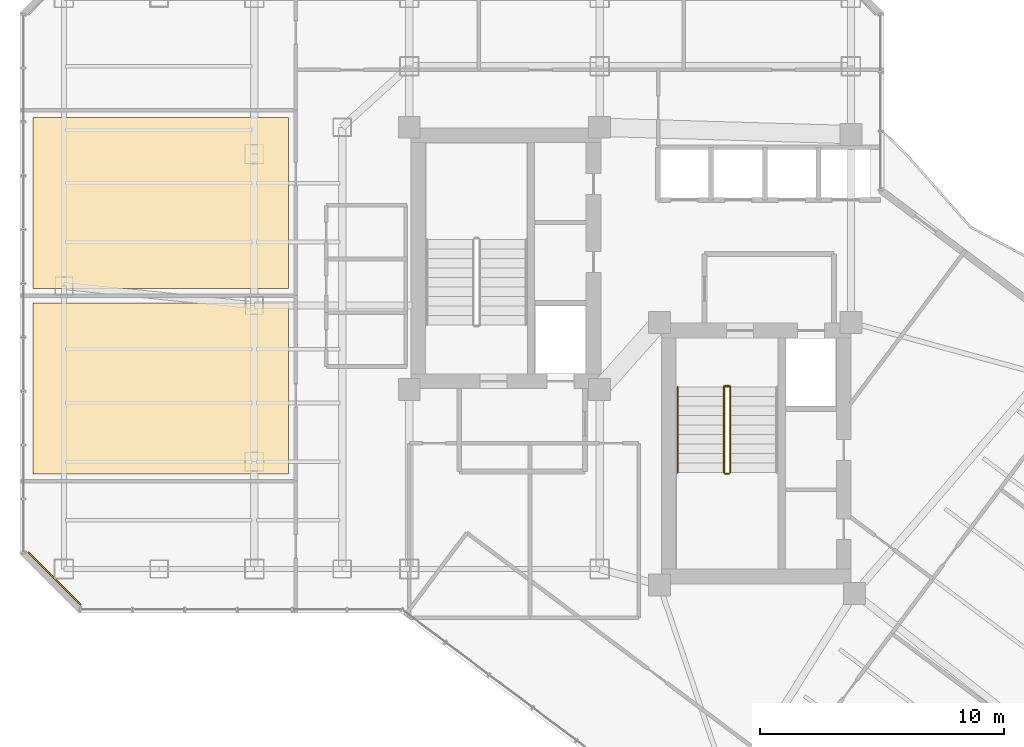
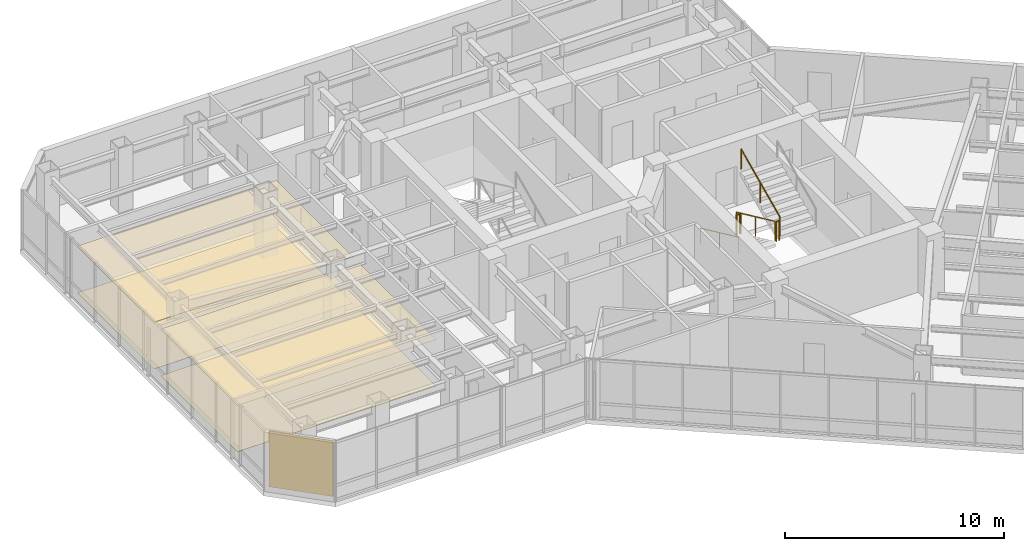
# One storey, part 27 of 29: 6 railings, 5 coverings.
"""IFC4 building model written with IfcOpenShell, lengths in metres."""

from ifc_helpers import new_model, si_unit, direction, frame, origin, origin_2d, place, context, subcontext, project, spatial, polyline, rectangle, circle, outline, extrude, material, layer, layer_set, type_object, element, save


model = new_model("IFC4")

# Units and contexts
model_context = context("Model", 3, precision=1e-05, world=origin(), true_north=direction((0.0, 1.0)))
body_context = subcontext(model_context, "Body", "Model", "MODEL_VIEW")
ifc_project = project(units=[si_unit("LENGTHUNIT", "METRE"), si_unit("AREAUNIT", "SQUARE_METRE"), si_unit("VOLUMEUNIT", "CUBIC_METRE"), si_unit("PLANEANGLEUNIT", "RADIAN"), si_unit("MASSUNIT", "GRAM", prefix="KILO")], contexts=[model_context])

# Site, building, storey
site_placement = place(None, origin())
site = spatial("IfcSite", under=ifc_project, at=site_placement, CompositionType="ELEMENT")
building_placement = place(site_placement, origin())
building = spatial("IfcBuilding", under=site, at=building_placement, Name="Hatsunagi Terrace Concourse", CompositionType="ELEMENT")
storey_placement = place(building_placement, frame((0.0, 0.0, 178.050048828125)))
storey = spatial("IfcBuildingStorey", under=building, at=storey_placement, Name="L47", CompositionType="ELEMENT", Elevation=178.050048828125)

# Coverings
ifc_material_1 = material(Name="Acoustic mineral board", Category="gypsum")
ifc_layer_1 = layer(ifc_material_1, 0.02001953125)
ifc_layer_set_1 = layer_set([ifc_layer_1], Name="AcousticMineralCeiling_20")
covering_type_1 = type_object("IfcCoveringType", Name="AcousticMineralCeiling_20", PredefinedType="CEILING", material=ifc_layer_set_1)
covering_1_placement = place(storey_placement, frame((0.0, 0.0, 2.579833984375)))
element("IfcCovering", 1, at=covering_1_placement, inside=storey, type_object=covering_type_1, Name="Suspended Ceiling L47-1", PredefinedType="CEILING", context=body_context, shape_type="SweptSolid", body=[
    extrude(outline(polyline([(10.1298828125, 29.10009765625), (20.60009765625, 29.10009765625), (20.60009765625, 36.10009765625), (10.1298828125, 36.10009765625), (10.1298828125, 29.10009765625)])), origin(), (0.0, 0.0, 1.0), 0.02001953125),
])
ifc_material_2 = material(Name="Hardwood timber", Category="wood")
ifc_layer_2 = layer(ifc_material_2, 0.014892578125)
ifc_layer_set_2 = layer_set([ifc_layer_2], Name="HardwoodTimberFlooring_15")
covering_type_2 = type_object("IfcCoveringType", Name="HardwoodTimberFlooring_15", PredefinedType="FLOORING", material=ifc_layer_set_2)
covering_2_placement = place(storey_placement, origin())
element("IfcCovering", 2, at=covering_2_placement, inside=storey, type_object=covering_type_2, Name="Finished Flooring L47-1", PredefinedType="FLOORING", context=body_context, shape_type="SweptSolid", body=[
    extrude(outline(polyline([(10.1298828125, 29.10009765625), (20.60009765625, 29.10009765625), (20.60009765625, 36.10009765625), (10.1298828125, 36.10009765625), (10.1298828125, 29.10009765625)])), origin(), (0.0, 0.0, 1.0), 0.014892578125),
])
covering_3_placement = place(storey_placement, origin())
element("IfcCovering", 3, at=covering_3_placement, inside=storey, type_object=covering_type_2, Name="Finished Flooring L47-2", PredefinedType="FLOORING", context=body_context, shape_type="SweptSolid", body=[
    extrude(outline(polyline([(10.1298828125, 36.699951171875), (20.60009765625, 36.699951171875), (20.60009765625, 43.699951171875), (10.1298828125, 43.699951171875), (10.1298828125, 36.699951171875)])), origin(), (0.0, 0.0, 1.0), 0.014892578125),
])

# Railings
ifc_material_3 = material(Name="Stainless steel", Category="steel")
ifc_layer_3 = layer(ifc_material_3, 0.044921875)
ifc_layer_set_3 = layer_set([ifc_layer_3], Name="StairPitchHandrail_Tower2000")
railing_type_1 = type_object("IfcRailingType", Name="StairPitchHandrail_Tower2000", PredefinedType="HANDRAIL", material=ifc_layer_set_3)
railing_1_placement = place(storey_placement, frame((36.550048828125, 32.659912109375, 0.179931640625)))
element("IfcRailing", 4, at=railing_1_placement, inside=storey, type_object=railing_type_1, Name="L47 ST-B stair handrail 1", PredefinedType="HANDRAIL", context=body_context, shape_type="SweptSolid", body=[
    extrude(circle(Radius=0.02392578125, at=origin_2d()), frame((0.0, 0.0, 0.8759765625), z_axis=(0.0, -0.907948293929, 0.419082206198), x_axis=(1.0, 0.0, 0.0)), (0.0, 0.0, 1.0), 3.865966796875),
    extrude(circle(Radius=0.02099609375, at=origin_2d()), origin(), (0.0, 0.0, 1.0), 0.851806640625),
    extrude(circle(Radius=0.02099609375, at=origin_2d()), frame((0.0, -1.7548828125, 0.81005859375)), (0.0, 0.0, 1.0), 0.851806640625),
    extrude(circle(Radius=0.02099609375, at=origin_2d()), frame((0.0, -3.510009765625, 1.6201171875)), (0.0, 0.0, 1.0), 0.851806640625),
])
ifc_material_4 = material(Name="Stainless steel", Category="steel")
ifc_layer_4 = layer(ifc_material_4, 0.06005859375)
ifc_layer_set_4 = layer_set([ifc_layer_4], Name="StairWellGuard_Tower2000")
railing_type_2 = type_object("IfcRailingType", Name="StairWellGuard_Tower2000", PredefinedType="BALUSTRADE", material=ifc_layer_set_4)
railing_2_placement = place(storey_placement, frame((38.449951171875, 32.659912109375, 0.179931640625)))
element("IfcRailing", 5, at=railing_2_placement, inside=storey, type_object=railing_type_2, Name="L47 ST-B stair guard 1", PredefinedType="BALUSTRADE", context=body_context, shape_type="SweptSolid", body=[
    extrude(circle(Radius=0.02392578125, at=origin_2d()), frame((0.0, 0.0, 1.09619140625), z_axis=(0.0, -0.907948293929, 0.419082206198), x_axis=(1.0, 0.0, 0.0)), (0.0, 0.0, 1.0), 3.865966796875),
    extrude(circle(Radius=0.02099609375, at=origin_2d()), origin(), (0.0, 0.0, 1.0), 1.072021484375),
    extrude(circle(Radius=0.02099609375, at=origin_2d()), frame((0.0, -1.7548828125, 0.81005859375)), (0.0, 0.0, 1.0), 1.072021484375),
    extrude(circle(Radius=0.02099609375, at=origin_2d()), frame((0.0, -3.510009765625, 1.6201171875)), (0.0, 0.0, 1.0), 1.072021484375),
])
railing_3_placement = place(storey_placement, frame((38.5, 29.10009765625, 1.800048828125)))
element("IfcRailing", 6, at=railing_3_placement, inside=storey, type_object=railing_type_2, Name="L47 ST-B stair guard 2", PredefinedType="BALUSTRADE", context=body_context, shape_type="SweptSolid", body=[
    extrude(circle(Radius=0.02392578125, at=origin_2d()), frame((0.0, 0.0, 1.09619140625), z_axis=(1.0, 0.0, 0.0), x_axis=(0.0, 1.0, 0.0)), (0.0, 0.0, 1.0), 0.14990234375),
    extrude(circle(Radius=0.02099609375, at=origin_2d()), origin(), (0.0, 0.0, 1.0), 1.072021484375),
    extrude(circle(Radius=0.02099609375, at=origin_2d()), frame((0.14990234375, 0.0, 0.0)), (0.0, 0.0, 1.0), 1.072021484375),
])
railing_4_placement = place(storey_placement, frame((38.699951171875, 29.14990234375, 1.97998046875)))
element("IfcRailing", 7, at=railing_4_placement, inside=storey, type_object=railing_type_2, Name="L47 ST-B stair guard 3", PredefinedType="BALUSTRADE", context=body_context, shape_type="SweptSolid", body=[
    extrude(circle(Radius=0.02392578125, at=origin_2d()), frame((0.0, 0.0, 1.09619140625), z_axis=(0.0, 0.907972323039, 0.419030142823), x_axis=(-1.0, 0.0, 0.0)), (0.0, 0.0, 1.0), 3.86572265625),
    extrude(circle(Radius=0.02099609375, at=origin_2d()), origin(), (0.0, 0.0, 1.0), 1.072021484375),
    extrude(circle(Radius=0.02099609375, at=origin_2d()), frame((0.0, 1.7548828125, 0.81005859375)), (0.0, 0.0, 1.0), 1.072021484375),
    extrude(circle(Radius=0.02099609375, at=origin_2d()), frame((0.0, 3.510009765625, 1.619873046875)), (0.0, 0.0, 1.0), 1.072021484375),
])
railing_5_placement = place(storey_placement, frame((38.5, 32.7099609375, 0.0)))
element("IfcRailing", 8, at=railing_5_placement, inside=storey, type_object=railing_type_2, Name="L47 ST-B stair guard 4", PredefinedType="BALUSTRADE", context=body_context, shape_type="SweptSolid", body=[
    extrude(circle(Radius=0.02392578125, at=origin_2d()), frame((0.0, 0.0, 1.09619140625), z_axis=(1.0, 0.0, 0.0), x_axis=(0.0, 1.0, 0.0)), (0.0, 0.0, 1.0), 0.14990234375),
    extrude(circle(Radius=0.02099609375, at=origin_2d()), origin(), (0.0, 0.0, 1.0), 1.072021484375),
    extrude(circle(Radius=0.02099609375, at=origin_2d()), frame((0.14990234375, 0.0, 0.0)), (0.0, 0.0, 1.0), 1.072021484375),
])
ifc_material_5 = material(Name="Stainless Steel SUS316 Post-and-Rail Guard", Category="steel")
ifc_layer_5 = layer(ifc_material_5, 0.080078125)
ifc_layer_set_5 = layer_set([ifc_layer_5], Name="TerracePlantedGuardRail_1200")
railing_type_3 = type_object("IfcRailingType", Name="TerracePlantedGuardRail_1200", PredefinedType="GUARDRAIL", material=ifc_layer_set_5)
railing_6_placement = place(storey_placement, frame((38.449951171875, 32.679931640625, 0.0)))
element("IfcRailing", 9, at=railing_6_placement, inside=storey, type_object=railing_type_3, Name="Stair ST-B Well Closure Guard L47", PredefinedType="GUARDRAIL", context=body_context, shape_type="SweptSolid", body=[
    extrude(circle(Radius=0.02392578125, at=origin_2d()), frame((0.0, 0.0, 1.09619140625), z_axis=(1.0, 0.0, 0.0), x_axis=(0.0, 1.0, 0.0)), (0.0, 0.0, 1.0), 0.25),
    extrude(circle(Radius=0.02099609375, at=origin_2d()), origin(), (0.0, 0.0, 1.0), 1.072021484375),
    extrude(circle(Radius=0.02099609375, at=origin_2d()), frame((0.25, 0.0, 0.0)), (0.0, 0.0, 1.0), 1.072021484375),
])

# Coverings
ifc_material_6 = material(Name="Unglazed Warm Terracotta Rainscreen Tile", Category="masonry")
ifc_layer_6 = layer(ifc_material_6, 0.044921875)
ifc_layer_set_6 = layer_set([ifc_layer_6], Name="TerracottaRainscreenCladding_45")
covering_type_3 = type_object("IfcCoveringType", Name="TerracottaRainscreenCladding_45", PredefinedType="CLADDING", material=ifc_layer_set_6)
covering_4_placement = place(storey_placement, frame((11.013916015625, 24.81396484375, 0.099853515625), z_axis=(0.0, 0.0, 1.0), x_axis=(-0.707106781187, 0.707106781187, 0.0)))
element("IfcCovering", 10, at=covering_4_placement, inside=storey, type_object=covering_type_3, Name="Terracotta Rainscreen Cladding L47-08", PredefinedType="CLADDING", context=body_context, shape_type="SweptSolid", body=[
    extrude(rectangle(XDim=3.0380859375, YDim=0.044921875, at=origin_2d()), origin(), (0.0, 0.0, 1.0), 3.10009765625),
])
ifc_material_7 = material(Name="Hardwood timber", Category="wood")
ifc_layer_7 = layer(ifc_material_7, 0.034912109375)
ifc_layer_set_7 = layer_set([ifc_layer_7], Name="TimberBaffleCeiling_35")
covering_type_4 = type_object("IfcCoveringType", Name="TimberBaffleCeiling_35", PredefinedType="CEILING", material=ifc_layer_set_7)
covering_5_placement = place(storey_placement, frame((0.0, 0.0, 2.579833984375)))
element("IfcCovering", 11, at=covering_5_placement, inside=storey, type_object=covering_type_4, Name="Suspended Ceiling L47-2", PredefinedType="CEILING", context=body_context, shape_type="SweptSolid", body=[
    extrude(outline(polyline([(10.1298828125, 36.699951171875), (20.60009765625, 36.699951171875), (20.60009765625, 43.699951171875), (10.1298828125, 43.699951171875), (10.1298828125, 36.699951171875)])), origin(), (0.0, 0.0, 1.0), 0.03515625),
])

save(model, "model.ifc")
